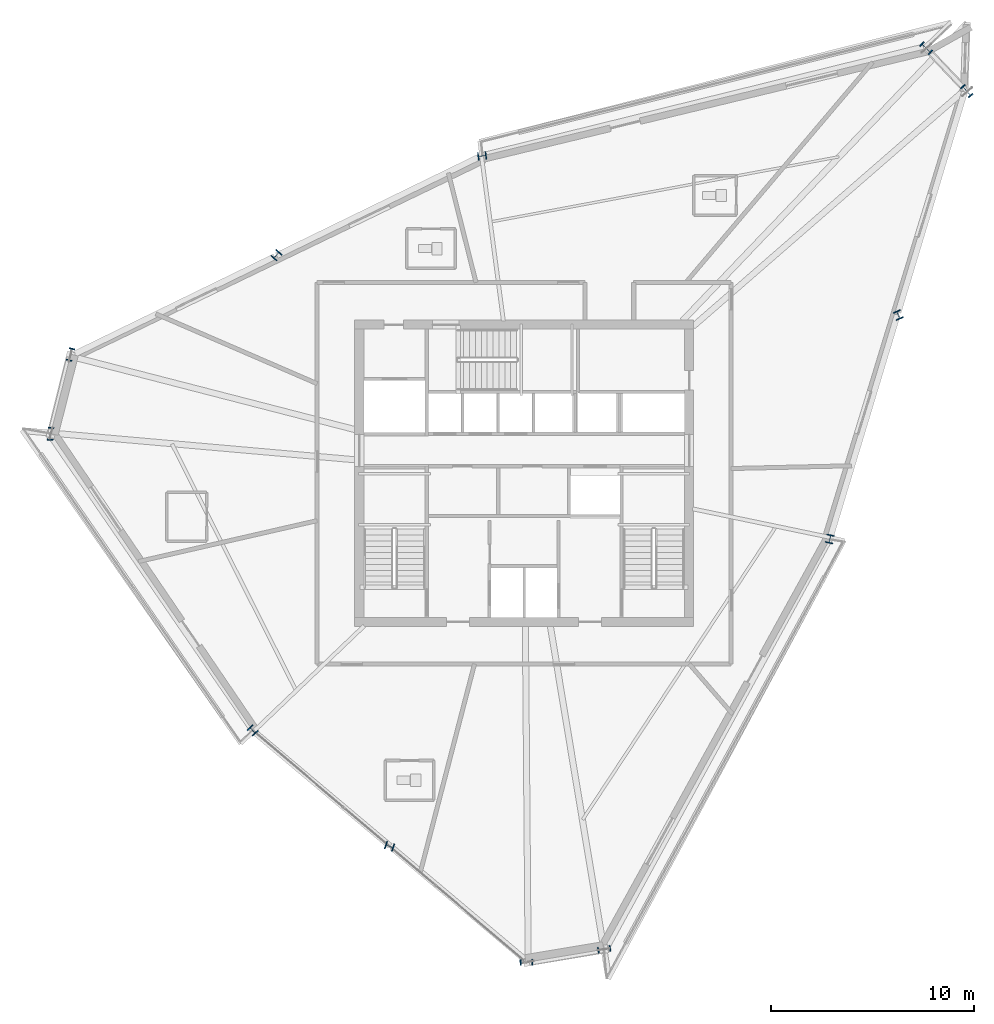
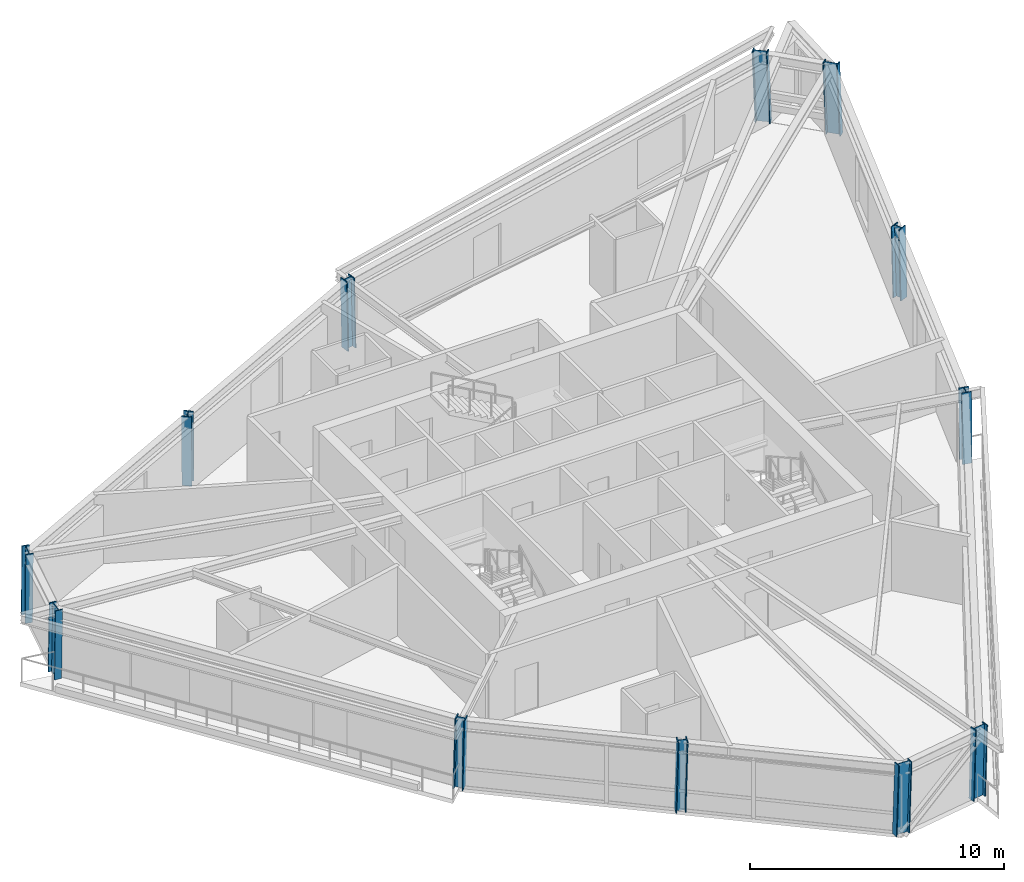
# One storey, part 1 of 15: 12 columns.
"""IFC4 building model written with IfcOpenShell, lengths in metres."""

from ifc_helpers import new_model, si_unit, direction, frame, origin, origin_2d, place, context, subcontext, project, spatial, i_section, extrude, source, transform, mapped, material, material_profile, profile_set, type_object, element, save


model = new_model("IFC4")

# Units and contexts
model_context = context("Model", 3, precision=1e-05, world=origin(), true_north=direction((0.0, 1.0)))
body_context = subcontext(model_context, "Body", "Model", "MODEL_VIEW")
ifc_project = project(units=[si_unit("LENGTHUNIT", "METRE"), si_unit("AREAUNIT", "SQUARE_METRE"), si_unit("VOLUMEUNIT", "CUBIC_METRE"), si_unit("PLANEANGLEUNIT", "RADIAN"), si_unit("MASSUNIT", "GRAM", prefix="KILO")], contexts=[model_context])

# Site, building, storey
site_placement = place(None, origin())
site = spatial("IfcSite", under=ifc_project, at=site_placement, CompositionType="ELEMENT")
building_placement = place(site_placement, origin())
building = spatial("IfcBuilding", under=site, at=building_placement, Name="Olszyna Solenne Hotel", CompositionType="ELEMENT")
storey_placement = place(building_placement, frame((0.0, 0.0, 213.14990234375)))
storey = spatial("IfcBuildingStorey", under=building, at=storey_placement, Name="L56", CompositionType="ELEMENT", Elevation=213.14990234375)

# Columns
ifc_material = material(Name="Steel S460M", Category="steel")
ifc_material_profile_1 = material_profile(ifc_material, i_section(OverallWidth=0.304931640625, OverallDepth=0.6201171875, WebThickness=0.02099609375, FlangeThickness=0.0400390625, at=origin_2d()), Name="HEM 600", Category="load-bearing")
ifc_profile_set_1 = profile_set([ifc_material_profile_1], Name="Steel S460M")
column_type_1 = type_object("IfcColumnType", Name="COL-K3", PredefinedType="COLUMN", material=ifc_profile_set_1)
shared_shape_1 = source(origin(), body_context, "Body", "SweptSolid", [
    extrude(i_section(OverallWidth=0.304931640625, OverallDepth=0.6201171875, WebThickness=0.02099609375, FlangeThickness=0.0400390625, at=origin_2d()), origin(), (0.0, 0.0, 1.0), 3.387451171875),
])
for number, where, z_axis, x_axis, name in (
    (1, (59.82080078125, 45.408203125, 0.0), (-0.024361059887, 0.028108915255, 0.999307974372), (-0.75568908279, -0.654930538418, 0.0), "Perimeter framed-tube column COL-K3 C-L56-01"),
    (2, (57.824462890625, 47.522705078125, 0.0), (-0.026955859143, 0.02544229486, 0.999312799523), (-0.686395112021, -0.727228815569, 0.0), "Perimeter framed-tube column COL-K3 C-L56-02"),
):
    element("IfcColumn", number, at=place(storey_placement, frame(where, z_axis=z_axis, x_axis=x_axis)), inside=storey, type_object=column_type_1, Name=name, PredefinedType="COLUMN", context=body_context, shape_type="MappedRepresentation", body=[
        mapped(shared_shape_1, transform((0.0, 0.0, 0.0), x_axis=(1.0, 0.0, 0.0), y_axis=(0.0, 1.0, 0.0), z_axis=(0.0, 0.0, 1.0), scale=1.0)),
    ])
ifc_material_profile_2 = material_profile(ifc_material, i_section(OverallWidth=0.406005859375, OverallDepth=0.416015625, WebThickness=0.026611328125, FlangeThickness=0.04150390625, at=origin_2d()), Name="HD 400x382", Category="load-bearing")
ifc_profile_set_2 = profile_set([ifc_material_profile_2], Name="Steel S460M")
column_type_2 = type_object("IfcColumnType", Name="COL-T4", PredefinedType="COLUMN", material=ifc_profile_set_2)
shared_shape_2 = source(origin(), body_context, "Body", "SweptSolid", [
    extrude(i_section(OverallWidth=0.406005859375, OverallDepth=0.416015625, WebThickness=0.026611328125, FlangeThickness=0.04150390625, at=origin_2d()), origin(), (0.0, 0.0, 1.0), 3.3857421875),
])
for number, where, z_axis, x_axis, name in (
    (3, (35.943115234375, 42.23486328125, 0.0), (-0.02011846258, -0.002740149025, 0.999793848274), (0.134954720894, -0.990851766567, 0.0), "Perimeter framed-tube column COL-T4 C-L56-03"),
    (4, (25.802978515625, 37.349853515625, 0.0), (-0.013844779817, -0.01571959375, 0.99978058415), (0.750440296728, -0.66093824299, 0.0), "Perimeter framed-tube column COL-T4 C-L56-04"),
    (5, (53.063232421875, 23.347900390625, 0.0), (0.004182365572, 0.019469632835, 0.999801700946), (-0.977696305652, 0.210023650844, 0.0), "Perimeter framed-tube column COL-T4 C-L56-11"),
):
    element("IfcColumn", number, at=place(storey_placement, frame(where, z_axis=z_axis, x_axis=x_axis)), inside=storey, type_object=column_type_2, Name=name, PredefinedType="COLUMN", context=body_context, shape_type="MappedRepresentation", body=[
        mapped(shared_shape_2, transform((0.0, 0.0, 0.0), x_axis=(1.0, 0.0, 0.0), y_axis=(0.0, 1.0, 0.0), z_axis=(0.0, 0.0, 1.0), scale=1.0)),
    ])
shared_shape_3 = source(origin(), body_context, "Body", "SweptSolid", [
    extrude(i_section(OverallWidth=0.304931640625, OverallDepth=0.6201171875, WebThickness=0.02099609375, FlangeThickness=0.0400390625, at=origin_2d()), origin(), (0.0, 0.0, 1.0), 3.386474609375),
])
for number, where, z_axis, x_axis, name in (
    (6, (15.66259765625, 32.465087890625, 0.0), (-0.007497571254, -0.028836812514, 0.999556013773), (0.967822506788, -0.251633851765, 0.0), "Perimeter framed-tube column COL-K3 C-L56-05"),
    (7, (14.67431640625, 28.55810546875, 0.0), (-0.002523192914, -0.030062041288, 0.999544850005), (0.996496139998, -0.083638764748, 0.0), "Perimeter framed-tube column COL-K3 C-L56-06"),
):
    element("IfcColumn", number, at=place(storey_placement, frame(where, z_axis=z_axis, x_axis=x_axis)), inside=storey, type_object=column_type_1, Name=name, PredefinedType="COLUMN", context=body_context, shape_type="MappedRepresentation", body=[
        mapped(shared_shape_3, transform((0.0, 0.0, 0.0), x_axis=(1.0, 0.0, 0.0), y_axis=(0.0, 1.0, 0.0), z_axis=(0.0, 0.0, 1.0), scale=1.0)),
    ])
shared_shape_4 = source(origin(), body_context, "Body", "SweptSolid", [
    extrude(i_section(OverallWidth=0.406005859375, OverallDepth=0.416015625, WebThickness=0.026611328125, FlangeThickness=0.04150390625, at=origin_2d()), origin(), (0.0, 0.0, 1.0), 3.385986328125),
])
for number, where, z_axis, x_axis, name in (
    (8, (24.61474609375, 13.939697265625, 0.0), (0.016295450941, -0.017232799889, 0.99971870488), (0.726591463835, 0.687069752413, 0.0), "Perimeter framed-tube column COL-T4 C-L56-07"),
    (9, (31.3544921875, 8.22119140625, 0.0), (0.023721277468, -0.008507935384, 0.999682407583), (0.337604796059, 0.941287948334, 0.0), "Perimeter framed-tube column COL-T4 C-L56-08"),
):
    element("IfcColumn", number, at=place(storey_placement, frame(where, z_axis=z_axis, x_axis=x_axis)), inside=storey, type_object=column_type_2, Name=name, PredefinedType="COLUMN", context=body_context, shape_type="MappedRepresentation", body=[
        mapped(shared_shape_4, transform((0.0, 0.0, 0.0), x_axis=(1.0, 0.0, 0.0), y_axis=(0.0, 1.0, 0.0), z_axis=(0.0, 0.0, 1.0), scale=1.0)),
    ])
shared_shape_5 = source(origin(), body_context, "Body", "SweptSolid", [
    extrude(i_section(OverallWidth=0.304931640625, OverallDepth=0.6201171875, WebThickness=0.02099609375, FlangeThickness=0.0400390625, at=origin_2d()), origin(), (0.0, 0.0, 1.0), 3.38671875),
])
for number, where, z_axis, x_axis, name in (
    (10, (38.094482421875, 2.502685546875, 0.0), (0.031070458112, 0.00021626769, 0.99951717337), (-0.006960388233, 0.999975776204, 0.0), "Perimeter framed-tube column COL-K3 C-L56-09"),
    (11, (41.92333984375, 3.143310546875, 0.0), (0.030205792979, 0.005118404061, 0.999530595835), (-0.167069460816, 0.985945127917, 0.0), "Perimeter framed-tube column COL-K3 C-L56-10"),
):
    element("IfcColumn", number, at=place(storey_placement, frame(where, z_axis=z_axis, x_axis=x_axis)), inside=storey, type_object=column_type_1, Name=name, PredefinedType="COLUMN", context=body_context, shape_type="MappedRepresentation", body=[
        mapped(shared_shape_5, transform((0.0, 0.0, 0.0), x_axis=(1.0, 0.0, 0.0), y_axis=(0.0, 1.0, 0.0), z_axis=(0.0, 0.0, 1.0), scale=1.0)),
    ])
shared_shape_6 = source(origin(), body_context, "Body", "SweptSolid", [
    extrude(i_section(OverallWidth=0.406005859375, OverallDepth=0.416015625, WebThickness=0.026611328125, FlangeThickness=0.04150390625, at=origin_2d()), origin(), (0.0, 0.0, 1.0), 3.38623046875),
])
column_placement = place(storey_placement, frame((56.44189453125, 34.378173828125, 0.0), z_axis=(-0.010094011703, 0.023720927503, 0.999667659038), x_axis=(-0.920154635629, -0.391555164097, 0.0)))
element("IfcColumn", 12, at=column_placement, inside=storey, type_object=column_type_2, Name="Perimeter framed-tube column COL-T4 C-L56-12", PredefinedType="COLUMN", context=body_context, shape_type="MappedRepresentation", body=[
    mapped(shared_shape_6, transform((0.0, 0.0, 0.0), x_axis=(1.0, 0.0, 0.0), y_axis=(0.0, 1.0, 0.0), z_axis=(0.0, 0.0, 1.0), scale=1.0)),
])

save(model, "model.ifc")
